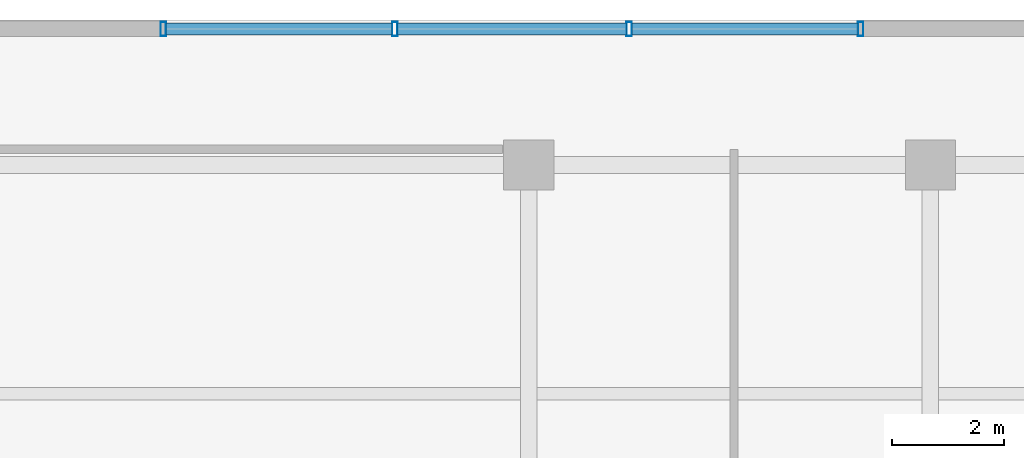
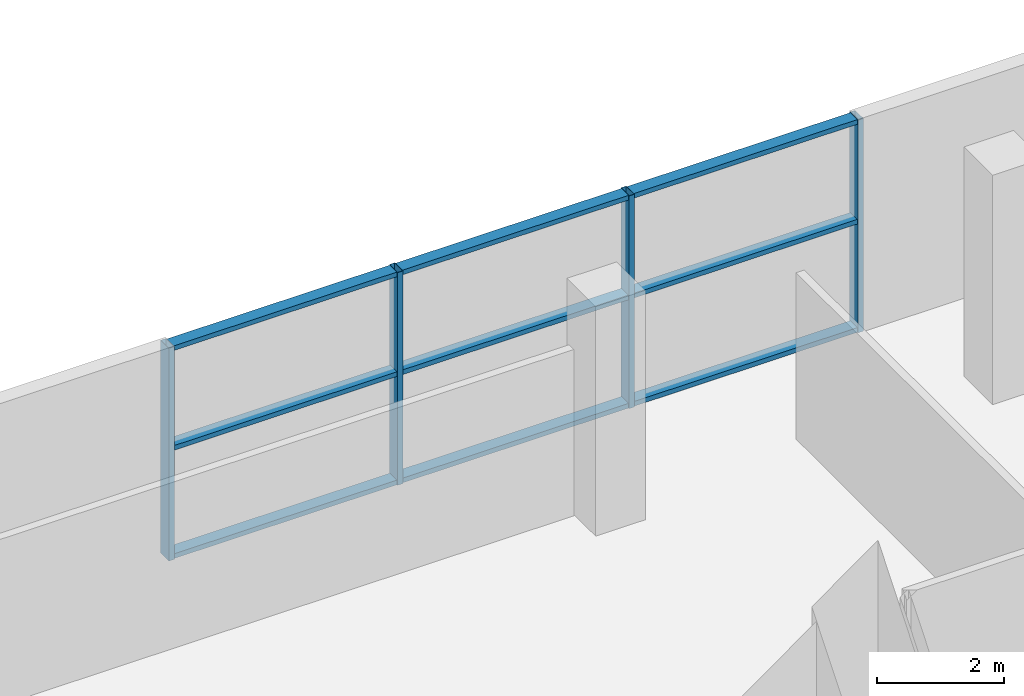
# One storey, part 10 of 22: 13 members, 1 element without a shape of its own.
"""IFC4 building model written with IfcOpenShell, lengths in metres."""

from ifc_helpers import new_model, si_unit, direction, frame, origin, origin_2d, place, context, subcontext, project, spatial, hollow_rectangle, extrude, source, transform, mapped, material, layer, layer_set, material_profile, profile_set, type_object, element, aggregate, save


model = new_model("IFC4")

# Units and contexts
model_context = context("Model", 3, precision=1e-05, world=origin(), true_north=direction((0.0, 1.0)))
body_context = subcontext(model_context, "Body", "Model", "MODEL_VIEW")
ifc_project = project(units=[si_unit("LENGTHUNIT", "METRE"), si_unit("AREAUNIT", "SQUARE_METRE"), si_unit("VOLUMEUNIT", "CUBIC_METRE"), si_unit("PLANEANGLEUNIT", "RADIAN"), si_unit("MASSUNIT", "GRAM", prefix="KILO")], contexts=[model_context])

# Site, building, storey
site_placement = place(None, origin())
site = spatial("IfcSite", under=ifc_project, at=site_placement, CompositionType="ELEMENT")
building_placement = place(site_placement, origin())
building = spatial("IfcBuilding", under=site, at=building_placement, Name="Zarnakvel Exchange Tower", CompositionType="ELEMENT")
storey_placement = place(building_placement, frame((0.0, 0.0, 9.39990234375)))
storey = spatial("IfcBuildingStorey", under=building, at=storey_placement, Name="L02", CompositionType="ELEMENT", Elevation=9.39990234375)

# Curtain wall, members
ifc_material = material(Name="Architectural Bronze Anodised Aluminium", Category="aluminium")
ifc_layer = layer(ifc_material, 0.260009765625)
ifc_layer_set = layer_set([ifc_layer], Name="Architectural Bronze Anodised Aluminium")
curtain_wall_type = type_object("IfcCurtainWallType", Name="CW-01", PredefinedType="NOTDEFINED", material=ifc_layer_set)
curtain_wall_placement = place(storey_placement, origin())
curtain_wall = element("IfcCurtainWall", 1, at=curtain_wall_placement, inside=storey, type_object=curtain_wall_type, Name="L02 Curtain Wall CW-L02-N2 (CW-01)", PredefinedType="NOTDEFINED")
ifc_material_profile_1 = material_profile(ifc_material, hollow_rectangle(XDim=0.219970703125, YDim=0.090087890625, WallThickness=0.0048828125, at=origin_2d()))
ifc_profile_set_1 = profile_set([ifc_material_profile_1], Name="Architectural Bronze Anodised Aluminium")
member_type_1 = type_object("IfcMemberType", Name="CWT-01", PredefinedType="USERDEFINED", material=ifc_profile_set_1)
shared_shape_1 = source(origin(), body_context, "Body", "SweptSolid", [
    extrude(hollow_rectangle(XDim=0.219970703125, YDim=0.090087890625, WallThickness=0.0048828125, at=origin_2d()), origin(), (0.0, 0.0, 1.0), 4.050048828125),
])
member_1_placement = place(storey_placement, frame((7.89990234375, 24.0400390625, 0.045166015625), z_axis=(1.0, 0.0, 0.0), x_axis=(0.0, 1.0, 0.0)))
member_1 = element("IfcMember", 2, at=member_1_placement, type_object=member_type_1, Name="CW-01 transom 1.1", ObjectType="TRANSOM", PredefinedType="USERDEFINED", context=body_context, shape_type="MappedRepresentation", body=[
    mapped(shared_shape_1, transform((0.0, 0.0, 0.0), x_axis=(1.0, 0.0, 0.0), y_axis=(0.0, 1.0, 0.0), z_axis=(0.0, 0.0, 1.0), scale=1.0)),
])
member_2_placement = place(storey_placement, frame((7.89990234375, 24.0400390625, 2.12158203125), z_axis=(1.0, 0.0, 0.0), x_axis=(0.0, 1.0, 0.0)))
member_2 = element("IfcMember", 3, at=member_2_placement, type_object=member_type_1, Name="CW-01 transom 1.2", ObjectType="TRANSOM", PredefinedType="USERDEFINED", context=body_context, shape_type="MappedRepresentation", body=[
    mapped(shared_shape_1, transform((0.0, 0.0, 0.0), x_axis=(1.0, 0.0, 0.0), y_axis=(0.0, 1.0, 0.0), z_axis=(0.0, 0.0, 1.0), scale=1.0)),
])
member_3_placement = place(storey_placement, frame((7.89990234375, 24.0400390625, 4.03515625), z_axis=(1.0, 0.0, 0.0), x_axis=(0.0, 1.0, 0.0)))
member_3 = element("IfcMember", 4, at=member_3_placement, type_object=member_type_1, Name="CW-01 transom 1.3", ObjectType="TRANSOM", PredefinedType="USERDEFINED", context=body_context, shape_type="MappedRepresentation", body=[
    mapped(shared_shape_1, transform((0.0, 0.0, 0.0), x_axis=(1.0, 0.0, 0.0), y_axis=(0.0, 1.0, 0.0), z_axis=(0.0, 0.0, 1.0), scale=1.0)),
])
member_4_placement = place(storey_placement, frame((16.25, 24.0400390625, 0.045166015625), z_axis=(1.0, 0.0, 0.0), x_axis=(0.0, 1.0, 0.0)))
member_4 = element("IfcMember", 5, at=member_4_placement, type_object=member_type_1, Name="CW-01 transom 3.1", ObjectType="TRANSOM", PredefinedType="USERDEFINED", context=body_context, shape_type="MappedRepresentation", body=[
    mapped(shared_shape_1, transform((0.0, 0.0, 0.0), x_axis=(1.0, 0.0, 0.0), y_axis=(0.0, 1.0, 0.0), z_axis=(0.0, 0.0, 1.0), scale=1.0)),
])
member_5_placement = place(storey_placement, frame((16.25, 24.0400390625, 2.12158203125), z_axis=(1.0, 0.0, 0.0), x_axis=(0.0, 1.0, 0.0)))
member_5 = element("IfcMember", 6, at=member_5_placement, type_object=member_type_1, Name="CW-01 transom 3.2", ObjectType="TRANSOM", PredefinedType="USERDEFINED", context=body_context, shape_type="MappedRepresentation", body=[
    mapped(shared_shape_1, transform((0.0, 0.0, 0.0), x_axis=(1.0, 0.0, 0.0), y_axis=(0.0, 1.0, 0.0), z_axis=(0.0, 0.0, 1.0), scale=1.0)),
])
member_6_placement = place(storey_placement, frame((16.25, 24.0400390625, 4.03515625), z_axis=(1.0, 0.0, 0.0), x_axis=(0.0, 1.0, 0.0)))
member_6 = element("IfcMember", 7, at=member_6_placement, type_object=member_type_1, Name="CW-01 transom 3.3", ObjectType="TRANSOM", PredefinedType="USERDEFINED", context=body_context, shape_type="MappedRepresentation", body=[
    mapped(shared_shape_1, transform((0.0, 0.0, 0.0), x_axis=(1.0, 0.0, 0.0), y_axis=(0.0, 1.0, 0.0), z_axis=(0.0, 0.0, 1.0), scale=1.0)),
])
shared_shape_2 = source(origin(), body_context, "Body", "SweptSolid", [
    extrude(hollow_rectangle(XDim=0.219970703125, YDim=0.090087890625, WallThickness=0.0048828125, at=origin_2d()), origin(), (0.0, 0.0, 1.0), 4.099853515625),
])
member_7_placement = place(storey_placement, frame((12.050048828125, 24.0400390625, 0.045166015625), z_axis=(1.0, 0.0, 0.0), x_axis=(0.0, 1.0, 0.0)))
member_7 = element("IfcMember", 8, at=member_7_placement, type_object=member_type_1, Name="CW-01 transom 2.1", ObjectType="TRANSOM", PredefinedType="USERDEFINED", context=body_context, shape_type="MappedRepresentation", body=[
    mapped(shared_shape_2, transform((0.0, 0.0, 0.0), x_axis=(1.0, 0.0, 0.0), y_axis=(0.0, 1.0, 0.0), z_axis=(0.0, 0.0, 1.0), scale=1.0)),
])
member_8_placement = place(storey_placement, frame((12.050048828125, 24.0400390625, 2.12158203125), z_axis=(1.0, 0.0, 0.0), x_axis=(0.0, 1.0, 0.0)))
member_8 = element("IfcMember", 9, at=member_8_placement, type_object=member_type_1, Name="CW-01 transom 2.2", ObjectType="TRANSOM", PredefinedType="USERDEFINED", context=body_context, shape_type="MappedRepresentation", body=[
    mapped(shared_shape_2, transform((0.0, 0.0, 0.0), x_axis=(1.0, 0.0, 0.0), y_axis=(0.0, 1.0, 0.0), z_axis=(0.0, 0.0, 1.0), scale=1.0)),
])
member_9_placement = place(storey_placement, frame((12.050048828125, 24.0400390625, 4.03515625), z_axis=(1.0, 0.0, 0.0), x_axis=(0.0, 1.0, 0.0)))
member_9 = element("IfcMember", 10, at=member_9_placement, type_object=member_type_1, Name="CW-01 transom 2.3", ObjectType="TRANSOM", PredefinedType="USERDEFINED", context=body_context, shape_type="MappedRepresentation", body=[
    mapped(shared_shape_2, transform((0.0, 0.0, 0.0), x_axis=(1.0, 0.0, 0.0), y_axis=(0.0, 1.0, 0.0), z_axis=(0.0, 0.0, 1.0), scale=1.0)),
])
ifc_material_profile_2 = material_profile(ifc_material, hollow_rectangle(XDim=0.260009765625, YDim=0.10009765625, WallThickness=0.006103515625, at=origin_2d()))
ifc_profile_set_2 = profile_set([ifc_material_profile_2], Name="Architectural Bronze Anodised Aluminium")
member_type_2 = type_object("IfcMemberType", Name="CWM-01", PredefinedType="MULLION", material=ifc_profile_set_2)
shared_shape_3 = source(origin(), body_context, "Body", "SweptSolid", [
    extrude(hollow_rectangle(XDim=0.260009765625, YDim=0.10009765625, WallThickness=0.006103515625, at=origin_2d()), origin(), (0.0, 0.0, 1.0), 4.080078125),
])
member_10_placement = place(storey_placement, frame((7.85009765625, 24.0400390625, 0.0), z_axis=(0.0, 0.0, 1.0), x_axis=(0.0, 1.0, 0.0)))
member_10 = element("IfcMember", 11, at=member_10_placement, type_object=member_type_2, Name="CW-01 mullion 1", PredefinedType="MULLION", context=body_context, shape_type="MappedRepresentation", body=[
    mapped(shared_shape_3, transform((0.0, 0.0, 0.0), x_axis=(1.0, 0.0, 0.0), y_axis=(0.0, 1.0, 0.0), z_axis=(0.0, 0.0, 1.0), scale=1.0)),
])
member_11_placement = place(storey_placement, frame((12.0, 24.0400390625, 0.0), z_axis=(0.0, 0.0, 1.0), x_axis=(0.0, 1.0, 0.0)))
member_11 = element("IfcMember", 12, at=member_11_placement, type_object=member_type_2, Name="CW-01 mullion 2", PredefinedType="MULLION", context=body_context, shape_type="MappedRepresentation", body=[
    mapped(shared_shape_3, transform((0.0, 0.0, 0.0), x_axis=(1.0, 0.0, 0.0), y_axis=(0.0, 1.0, 0.0), z_axis=(0.0, 0.0, 1.0), scale=1.0)),
])
member_12_placement = place(storey_placement, frame((16.199951171875, 24.0400390625, 0.0), z_axis=(0.0, 0.0, 1.0), x_axis=(0.0, 1.0, 0.0)))
member_12 = element("IfcMember", 13, at=member_12_placement, type_object=member_type_2, Name="CW-01 mullion 3", PredefinedType="MULLION", context=body_context, shape_type="MappedRepresentation", body=[
    mapped(shared_shape_3, transform((0.0, 0.0, 0.0), x_axis=(1.0, 0.0, 0.0), y_axis=(0.0, 1.0, 0.0), z_axis=(0.0, 0.0, 1.0), scale=1.0)),
])
member_13_placement = place(storey_placement, frame((20.35009765625, 24.0400390625, 0.0), z_axis=(0.0, 0.0, 1.0), x_axis=(0.0, 1.0, 0.0)))
member_13 = element("IfcMember", 14, at=member_13_placement, type_object=member_type_2, Name="CW-01 mullion 4", PredefinedType="MULLION", context=body_context, shape_type="MappedRepresentation", body=[
    mapped(shared_shape_3, transform((0.0, 0.0, 0.0), x_axis=(1.0, 0.0, 0.0), y_axis=(0.0, 1.0, 0.0), z_axis=(0.0, 0.0, 1.0), scale=1.0)),
])
aggregate(curtain_wall, [member_10, member_11, member_12, member_13, member_1, member_2, member_3, member_7, member_8, member_9, member_4, member_5, member_6])

save(model, "model.ifc")
